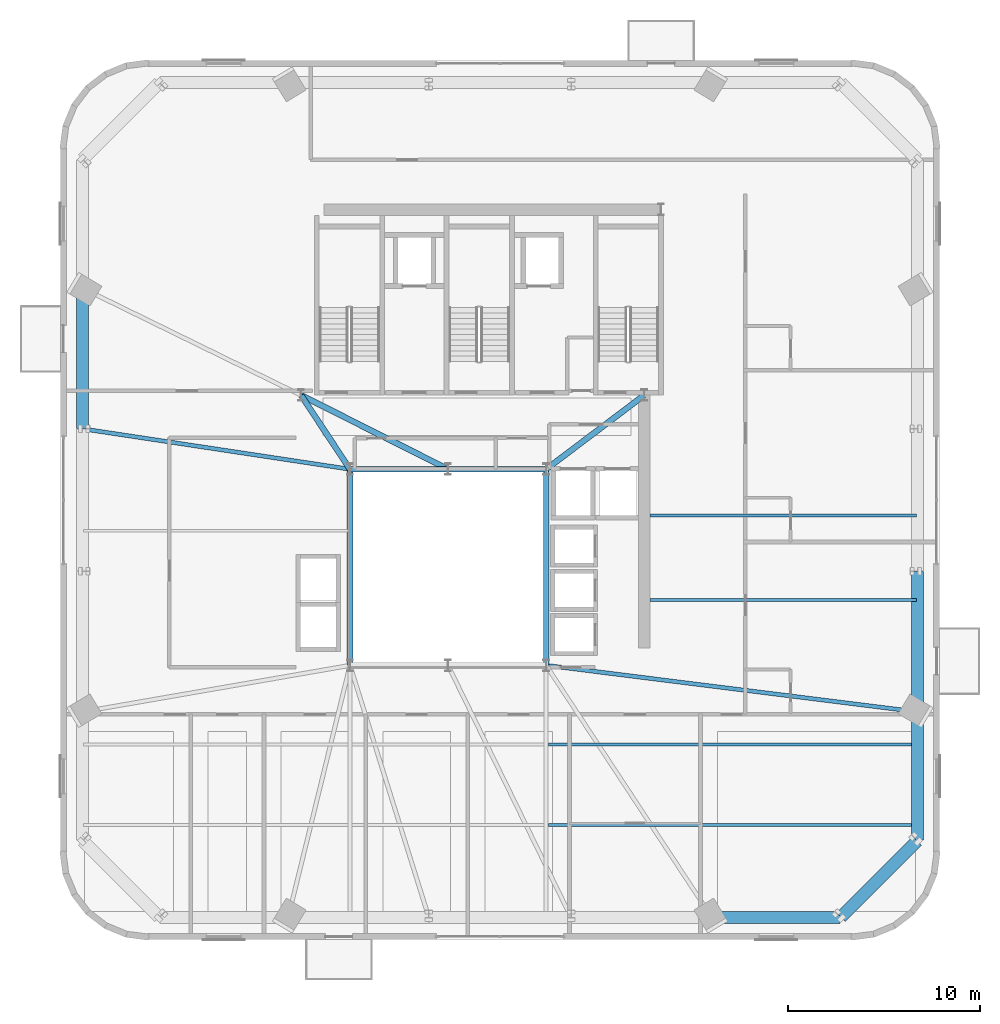
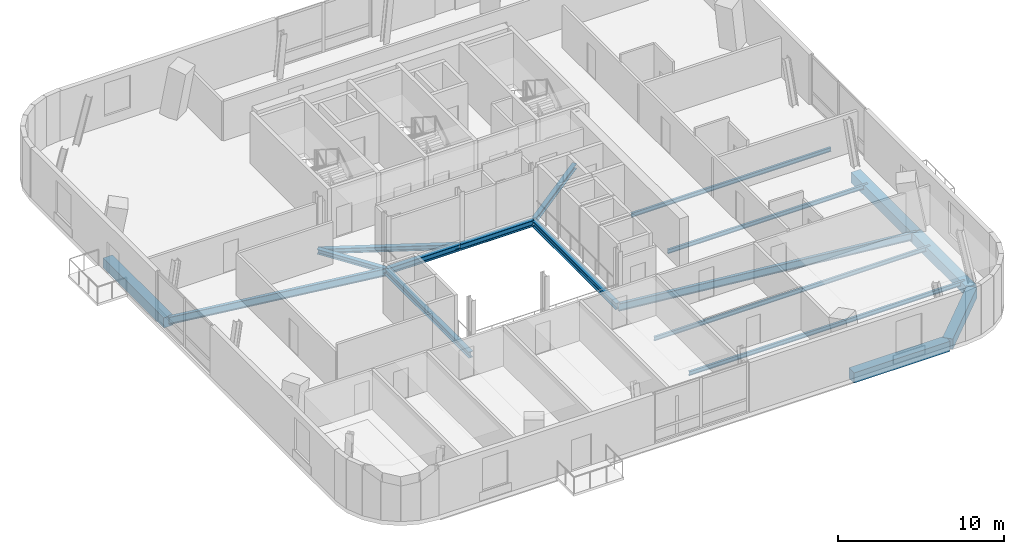
# One storey, part 4 of 15: 18 beams.
"""IFC4 building model written with IfcOpenShell, lengths in metres."""

from ifc_helpers import new_model, si_unit, direction, frame, origin, origin_2d, place, context, subcontext, project, spatial, rectangle, i_section, extrude, source, transform, mapped, material, material_profile, profile_set, type_object, element, save


model = new_model("IFC4")

# Units and contexts
model_context = context("Model", 3, precision=1e-05, world=origin(), true_north=direction((0.0, 1.0)))
body_context = subcontext(model_context, "Body", "Model", "MODEL_VIEW")
ifc_project = project(units=[si_unit("LENGTHUNIT", "METRE"), si_unit("AREAUNIT", "SQUARE_METRE"), si_unit("VOLUMEUNIT", "CUBIC_METRE"), si_unit("PLANEANGLEUNIT", "RADIAN"), si_unit("MASSUNIT", "GRAM", prefix="KILO")], contexts=[model_context])

# Site, building, storey
site_placement = place(None, origin())
site = spatial("IfcSite", under=ifc_project, at=site_placement, CompositionType="ELEMENT")
building_placement = place(site_placement, origin())
building = spatial("IfcBuilding", under=site, at=building_placement, Name="Vardaveli Station Tower", CompositionType="ELEMENT")
storey_placement = place(building_placement, frame((0.0, 0.0, 258.5)))
storey = spatial("IfcBuildingStorey", under=building, at=storey_placement, Name="L66", CompositionType="ELEMENT", Elevation=258.5)

# Beams
ifc_material_1 = material(Name="Structural steel S355J2", Category="steel")
ifc_material_profile_1 = material_profile(ifc_material_1, i_section(OverallWidth=0.300048828125, OverallDepth=0.449951171875, WebThickness=0.013916015625, FlangeThickness=0.02587890625, FilletRadius=0.027099609375, at=origin_2d()), Name="HEB 450")
ifc_profile_set_1 = profile_set([ifc_material_profile_1], Name="Structural steel S355J2")
beam_type_1 = type_object("IfcBeamType", Name="BM-HEB450", PredefinedType="BEAM", material=ifc_profile_set_1)
shared_shape_1 = source(origin(), body_context, "Body", "SweptSolid", [
    extrude(i_section(OverallWidth=0.300048828125, OverallDepth=0.449951171875, WebThickness=0.013916015625, FlangeThickness=0.02587890625, FilletRadius=0.027099609375, at=origin_2d()), origin(), (0.0, 0.0, 1.0), 5.06005859375),
])
beam_1_placement = place(storey_placement, frame((36.280029296875, 26.800048828125, -0.52490234375), z_axis=(-1.0, 0.0, 0.0), x_axis=(0.0, -1.0, 0.0)))
element("IfcBeam", 1, at=beam_1_placement, inside=storey, type_object=beam_type_1, Name="ABM-L66-05", PredefinedType="BEAM", context=body_context, shape_type="MappedRepresentation", body=[
    mapped(shared_shape_1, transform((0.0, 0.0, 0.0), scale=1.0)),
])
shared_shape_2 = source(origin(), body_context, "Body", "SweptSolid", [
    extrude(i_section(OverallWidth=0.300048828125, OverallDepth=0.449951171875, WebThickness=0.013916015625, FlangeThickness=0.02587890625, FilletRadius=0.027099609375, at=origin_2d()), origin(), (0.0, 0.0, 1.0), 5.059814453125),
])
beam_2_placement = place(storey_placement, frame((41.3798828125, 26.800048828125, -0.52490234375), z_axis=(-1.0, 0.0, 0.0), x_axis=(0.0, -1.0, 0.0)))
element("IfcBeam", 2, at=beam_2_placement, inside=storey, type_object=beam_type_1, Name="ABM-L66-04", PredefinedType="BEAM", context=body_context, shape_type="MappedRepresentation", body=[
    mapped(shared_shape_2, transform((0.0, 0.0, 0.0), scale=1.0)),
])
shared_shape_3 = source(origin(), body_context, "Body", "SweptSolid", [
    extrude(i_section(OverallWidth=0.300048828125, OverallDepth=0.449951171875, WebThickness=0.013916015625, FlangeThickness=0.02587890625, FilletRadius=0.027099609375, at=origin_2d()), origin(), (0.0, 0.0, 1.0), 10.159912109375),
])
for number, where, z_axis, x_axis, name in (
    (3, (41.39990234375, 16.6201171875, -0.52490234375), (0.0, 1.0, 0.0), (-1.0, 0.0, 0.0), "ABM-L66-03"),
    (4, (31.199951171875, 26.780029296875, -0.52490234375), (0.0, -1.0, 0.0), (1.0, 0.0, 0.0), "ABM-L66-06"),
):
    element("IfcBeam", number, at=place(storey_placement, frame(where, z_axis=z_axis, x_axis=x_axis)), inside=storey, type_object=beam_type_1, Name=name, PredefinedType="BEAM", context=body_context, shape_type="MappedRepresentation", body=[
        mapped(shared_shape_3, transform((0.0, 0.0, 0.0), scale=1.0)),
    ])
ifc_material_profile_2 = material_profile(ifc_material_1, i_section(OverallWidth=0.300048828125, OverallDepth=0.360107421875, WebThickness=0.012451171875, FlangeThickness=0.0224609375, FilletRadius=0.027099609375, at=origin_2d()), Name="HEB 360")
ifc_profile_set_2 = profile_set([ifc_material_profile_2], Name="Structural steel S355J2")
beam_type_2 = type_object("IfcBeamType", Name="BM-HEB360", PredefinedType="BEAM", material=ifc_profile_set_2)
shared_shape_4 = source(origin(), body_context, "Body", "SweptSolid", [
    extrude(i_section(OverallWidth=0.300048828125, OverallDepth=0.360107421875, WebThickness=0.012451171875, FlangeThickness=0.0224609375, FilletRadius=0.027099609375, at=origin_2d()), origin(), (0.0, 0.0, 1.0), 4.577880859375),
])
beam_3_placement = place(storey_placement, frame((31.18896484375, 26.816650390625, -0.47998046875), z_axis=(-0.55218702139, 0.833720272879, 0.0), x_axis=(-0.833720272879, -0.55218702139, 0.0)))
element("IfcBeam", 5, at=beam_3_placement, inside=storey, type_object=beam_type_2, Name="CBM-L66-01", PredefinedType="BEAM", context=body_context, shape_type="MappedRepresentation", body=[
    mapped(shared_shape_4, transform((0.0, 0.0, 0.0), scale=1.0)),
])
shared_shape_5 = source(origin(), body_context, "Body", "SweptSolid", [
    extrude(i_section(OverallWidth=0.300048828125, OverallDepth=0.360107421875, WebThickness=0.012451171875, FlangeThickness=0.0224609375, FilletRadius=0.027099609375, at=origin_2d()), origin(), (0.0, 0.0, 1.0), 6.35009765625),
])
beam_4_placement = place(storey_placement, frame((41.416015625, 26.81201171875, -0.47998046875), z_axis=(0.798118337722, 0.602500721154, 0.0), x_axis=(-0.602500721154, 0.798118337722, 0.0)))
element("IfcBeam", 6, at=beam_4_placement, inside=storey, type_object=beam_type_2, Name="CBM-L66-02", PredefinedType="BEAM", context=body_context, shape_type="MappedRepresentation", body=[
    mapped(shared_shape_5, transform((0.0, 0.0, 0.0), scale=1.0)),
])
shared_shape_6 = source(origin(), body_context, "Body", "SweptSolid", [
    extrude(i_section(OverallWidth=0.300048828125, OverallDepth=0.360107421875, WebThickness=0.012451171875, FlangeThickness=0.0224609375, FilletRadius=0.027099609375, at=origin_2d()), origin(), (0.0, 0.0, 1.0), 8.524169921875),
])
beam_5_placement = place(storey_placement, frame((28.66796875, 30.64111328125, -0.47998046875), z_axis=(0.893255584708, -0.449549174605, 0.0), x_axis=(0.449549174605, 0.893255584708, 0.0)))
element("IfcBeam", 7, at=beam_5_placement, inside=storey, type_object=beam_type_2, Name="CBM-L66-03", PredefinedType="BEAM", context=body_context, shape_type="MappedRepresentation", body=[
    mapped(shared_shape_6, transform((0.0, 0.0, 0.0), scale=1.0)),
])
ifc_material_2 = material(Name="Precast concrete C45/55", Category="concrete")
ifc_material_profile_3 = material_profile(ifc_material_2, rectangle(XDim=0.64990234375, YDim=0.75, at=origin_2d()), Name="LPB 650x750")
ifc_profile_set_3 = profile_set([ifc_material_profile_3], Name="Precast concrete C45/55")
beam_type_3 = type_object("IfcBeamType", Name="BM-LPB-750", PredefinedType="BEAM", material=ifc_profile_set_3)
shared_shape_7 = source(origin(), body_context, "Body", "SweptSolid", [
    extrude(rectangle(XDim=0.64990234375, YDim=0.75, at=origin_2d()), origin(), (0.0, 0.0, 1.0), 5.61669921875),
])
beam_6_placement = place(storey_placement, frame((56.72412109375, 3.504150390625, -0.675048828125), z_axis=(0.707106781187, 0.707106781187, 0.0), x_axis=(-0.707106781187, 0.707106781187, 0.0)))
element("IfcBeam", 8, at=beam_6_placement, inside=storey, type_object=beam_type_3, Name="RBM-L66-05", PredefinedType="BEAM", context=body_context, shape_type="MappedRepresentation", body=[
    mapped(shared_shape_7, transform((0.0, 0.0, 0.0), scale=1.0)),
])
shared_shape_8 = source(origin(), body_context, "Body", "SweptSolid", [
    extrude(rectangle(XDim=0.64990234375, YDim=0.75, at=origin_2d()), origin(), (0.0, 0.0, 1.0), 7.276123046875),
])
beam_7_placement = place(storey_placement, frame((17.2900390625, 36.196044921875, -0.675048828125), z_axis=(0.0, -1.0, 0.0), x_axis=(1.0, 0.0, 0.0)))
element("IfcBeam", 9, at=beam_7_placement, inside=storey, type_object=beam_type_3, Name="RBM-L66-19", PredefinedType="BEAM", context=body_context, shape_type="MappedRepresentation", body=[
    mapped(shared_shape_8, transform((0.0, 0.0, 0.0), scale=1.0)),
])
shared_shape_9 = source(origin(), body_context, "Body", "SweptSolid", [
    extrude(rectangle(XDim=0.64990234375, YDim=0.75, at=origin_2d()), origin(), (0.0, 0.0, 1.0), 6.654052734375),
])
for number, where, z_axis, x_axis, name in (
    (10, (50.035888671875, 3.489990234375, -0.675048828125), (1.0, 0.0, 0.0), (0.0, 1.0, 0.0), "RBM-L66-04"),
    (11, (60.7099609375, 7.510009765625, -0.675048828125), (0.0, 1.0, 0.0), (-1.0, 0.0, 0.0), "RBM-L66-06"),
):
    element("IfcBeam", number, at=place(storey_placement, frame(where, z_axis=z_axis, x_axis=x_axis)), inside=storey, type_object=beam_type_3, Name=name, PredefinedType="BEAM", context=body_context, shape_type="MappedRepresentation", body=[
        mapped(shared_shape_9, transform((0.0, 0.0, 0.0), scale=1.0)),
    ])
shared_shape_10 = source(origin(), body_context, "Body", "SweptSolid", [
    extrude(rectangle(XDim=0.64990234375, YDim=0.75, at=origin_2d()), origin(), (0.0, 0.0, 1.0), 7.27587890625),
])
beam_8_placement = place(storey_placement, frame((60.7099609375, 14.2041015625, -0.675048828125), z_axis=(0.0, 1.0, 0.0), x_axis=(-1.0, 0.0, 0.0)))
element("IfcBeam", 12, at=beam_8_placement, inside=storey, type_object=beam_type_3, Name="RBM-L66-07", PredefinedType="BEAM", context=body_context, shape_type="MappedRepresentation", body=[
    mapped(shared_shape_10, transform((0.0, 0.0, 0.0), scale=1.0)),
])
ifc_material_profile_4 = material_profile(ifc_material_1, i_section(OverallWidth=0.2099609375, OverallDepth=0.550048828125, WebThickness=0.010986328125, FlangeThickness=0.01708984375, FilletRadius=0.02392578125, at=origin_2d()), Name="IPE 550")
ifc_profile_set_4 = profile_set([ifc_material_profile_4], Name="Structural steel S355J2")
beam_type_4 = type_object("IfcBeamType", Name="BM-IPE550", PredefinedType="BEAM", material=ifc_profile_set_4)
shared_shape_11 = source(origin(), body_context, "Body", "SweptSolid", [
    extrude(i_section(OverallWidth=0.2099609375, OverallDepth=0.550048828125, WebThickness=0.010986328125, FlangeThickness=0.01708984375, FilletRadius=0.02392578125, at=origin_2d()), origin(), (0.0, 0.0, 1.0), 19.42041015625),
])
beam_9_placement = place(storey_placement, frame((60.690185546875, 14.1865234375, -0.574951171875), z_axis=(-0.992264526062, 0.124141493138, 0.0), x_axis=(-0.124141493138, -0.992264526062, 0.0)))
element("IfcBeam", 13, at=beam_9_placement, inside=storey, type_object=beam_type_4, Name="GBM-L66-05", PredefinedType="BEAM", context=body_context, shape_type="MappedRepresentation", body=[
    mapped(shared_shape_11, transform((0.0, 0.0, 0.0), scale=1.0)),
])
shared_shape_12 = source(origin(), body_context, "Body", "SweptSolid", [
    extrude(i_section(OverallWidth=0.2099609375, OverallDepth=0.550048828125, WebThickness=0.010986328125, FlangeThickness=0.01708984375, FilletRadius=0.02392578125, at=origin_2d()), origin(), (0.0, 0.0, 1.0), 14.027587890625),
])
beam_10_placement = place(storey_placement, frame((17.309814453125, 28.89697265625, -0.574951171875), z_axis=(0.988795354703, -0.149277414628, 0.0), x_axis=(0.149277414628, 0.988795354703, 0.0)))
element("IfcBeam", 14, at=beam_10_placement, inside=storey, type_object=beam_type_4, Name="GBM-L66-08", PredefinedType="BEAM", context=body_context, shape_type="MappedRepresentation", body=[
    mapped(shared_shape_12, transform((0.0, 0.0, 0.0), scale=1.0)),
])
ifc_material_profile_5 = material_profile(ifc_material_1, i_section(OverallWidth=0.14990234375, OverallDepth=0.300048828125, WebThickness=0.007080078125, FlangeThickness=0.0107421875, FilletRadius=0.014892578125, at=origin_2d()), Name="IPE 300")
ifc_profile_set_5 = profile_set([ifc_material_profile_5], Name="Structural steel S355J2")
beam_type_5 = type_object("IfcBeamType", Name="BM-IPE300", PredefinedType="JOIST", material=ifc_profile_set_5)
shared_shape_13 = source(origin(), body_context, "Body", "SweptSolid", [
    extrude(i_section(OverallWidth=0.14990234375, OverallDepth=0.300048828125, WebThickness=0.007080078125, FlangeThickness=0.0107421875, FilletRadius=0.014892578125, at=origin_2d()), origin(), (0.0, 0.0, 1.0), 19.157958984375),
])
for number, where, z_axis, x_axis, name in (
    (15, (41.511962890625, 8.2900390625, -0.449951171875), (1.0, 0.0, 0.0), (0.0, 1.0, 0.0), "SJ-L66-S03"),
    (16, (41.511962890625, 12.489990234375, -0.449951171875), (1.0, 0.0, 0.0), (0.0, 1.0, 0.0), "SJ-L66-S06"),
):
    element("IfcBeam", number, at=place(storey_placement, frame(where, z_axis=z_axis, x_axis=x_axis)), inside=storey, type_object=beam_type_5, Name=name, PredefinedType="JOIST", context=body_context, shape_type="MappedRepresentation", body=[
        mapped(shared_shape_13, transform((0.0, 0.0, 0.0), scale=1.0)),
    ])
shared_shape_14 = source(origin(), body_context, "Body", "SweptSolid", [
    extrude(i_section(OverallWidth=0.14990234375, OverallDepth=0.300048828125, WebThickness=0.007080078125, FlangeThickness=0.0107421875, FilletRadius=0.014892578125, at=origin_2d()), origin(), (0.0, 0.0, 1.0), 13.864990234375),
])
for number, where, z_axis, x_axis, name in (
    (17, (46.804931640625, 20.0, -0.449951171875), (1.0, 0.0, 0.0), (0.0, 1.0, 0.0), "SJ-L66-E09"),
    (18, (46.804931640625, 24.39990234375, -0.449951171875), (1.0, 0.0, 0.0), (0.0, 1.0, 0.0), "SJ-L66-E10"),
):
    element("IfcBeam", number, at=place(storey_placement, frame(where, z_axis=z_axis, x_axis=x_axis)), inside=storey, type_object=beam_type_5, Name=name, PredefinedType="JOIST", context=body_context, shape_type="MappedRepresentation", body=[
        mapped(shared_shape_14, transform((0.0, 0.0, 0.0), scale=1.0)),
    ])

save(model, "model.ifc")
